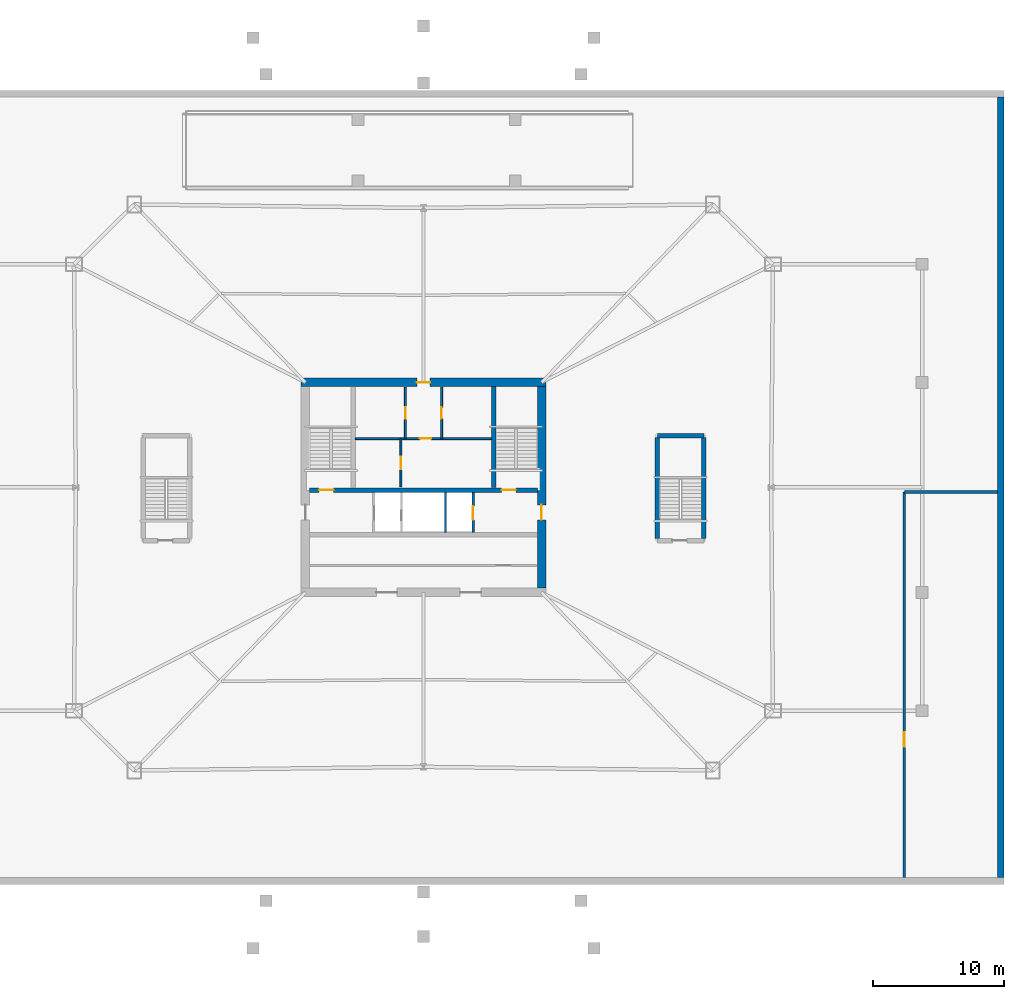
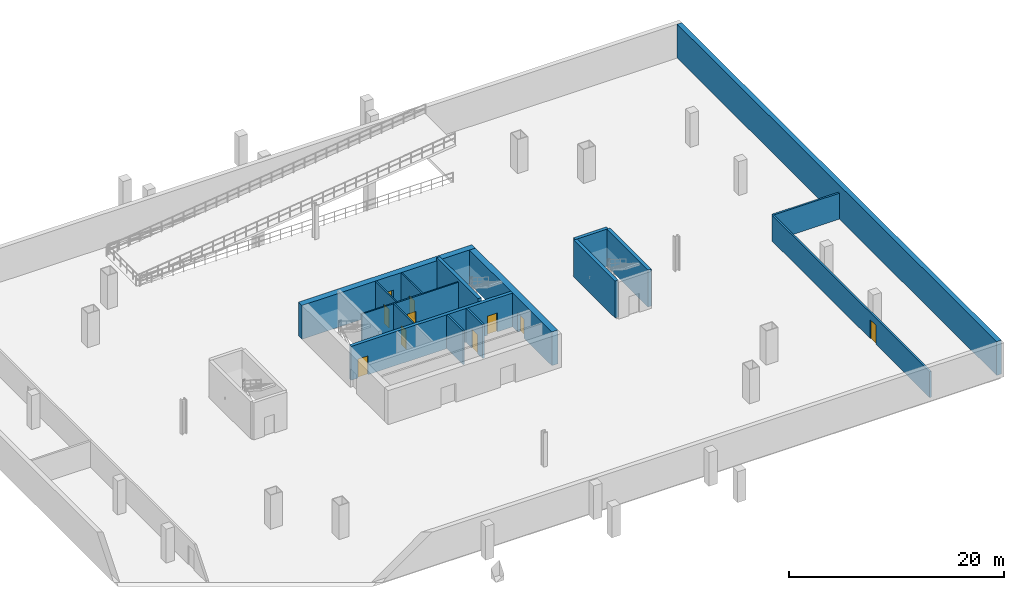
# One storey, part 5 of 9: 16 walls, 10 doors, 10 openings.
"""IFC4 building model written with IfcOpenShell, lengths in metres."""

from ifc_helpers import new_model, si_unit, direction, frame, frame_2d, origin, place, context, subcontext, project, spatial, rectangle, extrude, material, layer, layer_set, type_object, element, fill, save


model = new_model("IFC4")

# Units and contexts
model_context = context("Model", 3, precision=1e-05, world=origin(), true_north=direction((0.0, 1.0)))
body_context = subcontext(model_context, "Body", "Model", "MODEL_VIEW")
ifc_project = project(units=[si_unit("LENGTHUNIT", "METRE"), si_unit("AREAUNIT", "SQUARE_METRE"), si_unit("VOLUMEUNIT", "CUBIC_METRE"), si_unit("PLANEANGLEUNIT", "RADIAN"), si_unit("MASSUNIT", "GRAM", prefix="KILO")], contexts=[model_context])

# Site, building, storey
site_placement = place(None, origin())
site = spatial("IfcSite", under=ifc_project, at=site_placement, CompositionType="ELEMENT")
building_placement = place(site_placement, origin())
building = spatial("IfcBuilding", under=site, at=building_placement, Name="Caelvoria Tower", CompositionType="ELEMENT")
storey_placement = place(building_placement, frame((0.0, 0.0, -4.199951171875)))
storey = spatial("IfcBuildingStorey", under=building, at=storey_placement, Name="B1", CompositionType="ELEMENT", Elevation=-4.199951171875)

# Wall
ifc_material_1 = material(Name="Concrete C40/50", Category="concrete")
ifc_layer_1 = layer(ifc_material_1, 0.5, Name="Concrete C40/50")
ifc_layer_set_1 = layer_set([ifc_layer_1], Name="Basement Retaining Wall 500 - Concrete C40/50")
wall_type_1 = type_object("IfcWallType", Name="Basement Retaining Wall 500", PredefinedType="SOLIDWALL", material=ifc_layer_set_1)
wall_1_placement = place(storey_placement, frame((90.0, 2.25, 0.0), z_axis=(0.0, 0.0, 1.0), x_axis=(0.0, 1.0, 0.0)))
element("IfcWall", 1, at=wall_1_placement, inside=storey, type_object=wall_type_1, Name="B1 Retaining Wall E", PredefinedType="SOLIDWALL", context=body_context, shape_type="SweptSolid", body=[
    extrude(rectangle(XDim=59.5, YDim=0.5, at=frame_2d((29.75, 0.0))), origin(), (0.0, 0.0, 1.0), 3.849853515625),
])

# Wall, openings, doors
ifc_material_2 = material(Name="Concrete C50/60", Category="concrete")
ifc_layer_2 = layer(ifc_material_2, 0.35009765625, Name="Concrete C50/60")
ifc_layer_set_2 = layer_set([ifc_layer_2], Name="Core Internal Shear Wall 350 - Concrete C50/60")
wall_type_2 = type_object("IfcWallType", Name="Core Internal Shear Wall 350", PredefinedType="SHEAR", material=ifc_layer_set_2)
wall_2_placement = place(storey_placement, frame((37.324951171875, 31.800048828125, 0.0), z_axis=(0.0, 0.0, 1.0), x_axis=(1.0, 0.0, 0.0)))
wall_2 = element("IfcWall", 2, at=wall_2_placement, inside=storey, type_object=wall_type_2, Name="Core Shear Wall B1 M1", PredefinedType="SHEAR", context=body_context, shape_type="SweptSolid", body=[
    extrude(rectangle(XDim=17.35009765625, YDim=0.35009765625, at=frame_2d((8.675048828125, 0.0))), origin(), (0.0, 0.0, 1.0), 3.849853515625),
])
opening_1_placement = place(wall_2_placement, frame((0.72509765625, 0.0, 0.0)))
opening_1 = element("IfcOpeningElement", 3, at=opening_1_placement, cuts=wall_2, Name="Opening ID-01", PredefinedType="OPENING", context=body_context, shape_type="SweptSolid", body=[
    extrude(rectangle(XDim=1.10009765625, YDim=2.14990234375, at=frame_2d((0.550048828125, 1.074951171875))), frame((0.0, 0.18505859375, 0.0), z_axis=(0.0, -1.0, 0.0), x_axis=(1.0, 0.0, 0.0)), (0.0, 0.0, 1.0), 0.3701171875),
])
opening_2_placement = place(wall_2_placement, frame((14.625, 0.0, 0.0)))
opening_2 = element("IfcOpeningElement", 4, at=opening_2_placement, cuts=wall_2, Name="Opening ID-01", PredefinedType="OPENING", context=body_context, shape_type="SweptSolid", body=[
    extrude(rectangle(XDim=1.10009765625, YDim=2.14990234375, at=frame_2d((0.550048828125, 1.074951171875))), frame((0.0, 0.18505859375, 0.0), z_axis=(0.0, -1.0, 0.0), x_axis=(1.0, 0.0, 0.0)), (0.0, 0.0, 1.0), 0.3701171875),
])
ifc_material_3 = material(Name="Painted Hollow Steel Fire Door", Category="steel")
door_type_1 = type_object("IfcDoorType", Name="Fire Door FD90S 1100x2150", OperationType="NOTDEFINED", PredefinedType="DOOR", material=ifc_material_3)
door_1_placement = place(opening_1_placement, origin())
door_1 = element("IfcDoor", 5, at=door_1_placement, inside=storey, type_object=door_type_1, Name="Core Door DR-B1-ST1", OperationType="SINGLE_SWING_LEFT", OverallHeight=2.14990234375, OverallWidth=1.10009765625, PredefinedType="DOOR", context=body_context, shape_type="SweptSolid", body=[
    extrude(rectangle(XDim=1.10009765625, YDim=2.14990234375, at=frame_2d((0.550048828125, 1.074951171875))), frame((0.0, 0.02490234375, 0.0), z_axis=(0.0, -1.0, 0.0), x_axis=(1.0, 0.0, 0.0)), (0.0, 0.0, 1.0), 0.050048828125),
])
fill(opening_1, door_1)
door_2_placement = place(opening_2_placement, origin())
door_2 = element("IfcDoor", 6, at=door_2_placement, inside=storey, type_object=door_type_1, Name="Core Door DR-B1-ST2", OperationType="SINGLE_SWING_RIGHT", OverallHeight=2.14990234375, OverallWidth=1.10009765625, PredefinedType="DOOR", context=body_context, shape_type="SweptSolid", body=[
    extrude(rectangle(XDim=1.10009765625, YDim=2.14990234375, at=frame_2d((0.550048828125, 1.074951171875))), frame((0.0, 0.02490234375, 0.0), z_axis=(0.0, -1.0, 0.0), x_axis=(1.0, 0.0, 0.0)), (0.0, 0.0, 1.0), 0.050048828125),
])
fill(opening_2, door_2)

# Walls
wall_3_placement = place(storey_placement, frame((51.35009765625, 32.0, 0.0), z_axis=(0.0, 0.0, 1.0), x_axis=(0.0, 1.0, 0.0)))
element("IfcWall", 7, at=wall_3_placement, inside=storey, type_object=wall_type_2, Name="Interior Partition IW-B1-ST2W", PredefinedType="SHEAR", context=body_context, shape_type="SweptSolid", body=[
    extrude(rectangle(XDim=7.699951171875, YDim=0.35009765625, at=frame_2d((3.85009765625, 0.0))), origin(), (0.0, 0.0, 1.0), 4.199951171875),
])
wall_4_placement = place(storey_placement, frame((63.824951171875, 35.949951171875, 0.0), z_axis=(0.0, 0.0, 1.0), x_axis=(1.0, 0.0, 0.0)))
element("IfcWall", 8, at=wall_4_placement, inside=storey, type_object=wall_type_2, Name="Podium Stair Shear Wall B1 ST4 N", PredefinedType="SHEAR", context=body_context, shape_type="SweptSolid", body=[
    extrude(rectangle(XDim=3.550048828125, YDim=0.35009765625, at=frame_2d((1.77490234375, 0.0))), origin(), (0.0, 0.0, 1.0), 4.199951171875),
])
for number, where, z_axis, x_axis, name in (
    (9, (63.824951171875, 28.10009765625, 0.0), (0.0, 0.0, 1.0), (0.0, 1.0, 0.0), "Podium Stair Shear Wall B1 ST4 W"),
    (10, (67.375, 28.10009765625, 0.0), (0.0, 0.0, 1.0), (0.0, 1.0, 0.0), "Podium Stair Shear Wall B1 ST4 E"),
):
    element("IfcWall", number, at=place(storey_placement, frame(where, z_axis=z_axis, x_axis=x_axis)), inside=storey, type_object=wall_type_2, Name=name, PredefinedType="SHEAR", context=body_context, shape_type="SweptSolid", body=[
        extrude(rectangle(XDim=7.699951171875, YDim=0.35009765625, at=frame_2d((3.85009765625, 0.0))), origin(), (0.0, 0.0, 1.0), 4.199951171875),
    ])

# Wall, opening, door
ifc_material_4 = material(Name="Double Gypsum Board on Steel Stud", Category="steel")
ifc_layer_3 = layer(ifc_material_4, 0.14990234375, Name="Double Gypsum Board on Steel Stud")
ifc_layer_set_3 = layer_set([ifc_layer_3], Name="Core Service Acoustic Partition Wall 150 - Double Gypsum Board on Steel Stud")
wall_type_3 = type_object("IfcWallType", Name="Core Service Acoustic Partition Wall 150", PredefinedType="PARTITIONING", material=ifc_layer_set_3)
wall_5_placement = place(storey_placement, frame((44.6201171875, 35.719970703125, 0.0), z_axis=(0.0, 0.0, 1.0), x_axis=(0.0, 1.0, 0.0)))
wall_5 = element("IfcWall", 11, at=wall_5_placement, inside=storey, type_object=wall_type_3, Name="Interior Partition IW-B1-C0L", PredefinedType="PARTITIONING", context=body_context, shape_type="SweptSolid", body=[
    extrude(rectangle(XDim=3.929931640625, YDim=0.14990234375, at=frame_2d((1.96484375, 0.0))), origin(), (0.0, 0.0, 1.0), 3.849853515625),
])
opening_3_placement = place(wall_5_placement, frame((1.5, 0.0, 0.0)))
opening_3 = element("IfcOpeningElement", 12, at=opening_3_placement, cuts=wall_5, Name="Opening ID-06", PredefinedType="OPENING", context=body_context, shape_type="SweptSolid", body=[
    extrude(rectangle(XDim=0.89990234375, YDim=2.14990234375, at=frame_2d((0.449951171875, 1.074951171875))), frame((0.0, 0.0849609375, 0.0), z_axis=(0.0, -1.0, 0.0), x_axis=(1.0, 0.0, 0.0)), (0.0, 0.0, 1.0), 0.169921875),
])
ifc_material_5 = material(Name="Engineered Andean Oak Veneer Door", Category="wood")
door_type_2 = type_object("IfcDoorType", Name="Interior Timber Door 900x2150", OperationType="NOTDEFINED", PredefinedType="DOOR", material=ifc_material_5)
door_3_placement = place(opening_3_placement, origin())
door_3 = element("IfcDoor", 13, at=door_3_placement, inside=storey, type_object=door_type_2, Name="Interior Door DR-B1-C01", OperationType="SINGLE_SWING_LEFT", OverallHeight=2.14990234375, OverallWidth=0.89990234375, PredefinedType="DOOR", context=body_context, shape_type="SweptSolid", body=[
    extrude(rectangle(XDim=0.89990234375, YDim=2.14990234375, at=frame_2d((0.449951171875, 1.074951171875))), frame((0.0, 0.02490234375, 0.0), z_axis=(0.0, -1.0, 0.0), x_axis=(1.0, 0.0, 0.0)), (0.0, 0.0, 1.0), 0.050048828125),
])
fill(opening_3, door_3)

wall_6_placement = place(storey_placement, frame((47.3798828125, 35.719970703125, 0.0), z_axis=(0.0, 0.0, 1.0), x_axis=(0.0, 1.0, 0.0)))
wall_6 = element("IfcWall", 14, at=wall_6_placement, inside=storey, type_object=wall_type_3, Name="Interior Partition IW-B1-C0R", PredefinedType="PARTITIONING", context=body_context, shape_type="SweptSolid", body=[
    extrude(rectangle(XDim=3.929931640625, YDim=0.14990234375, at=frame_2d((1.96484375, 0.0))), origin(), (0.0, 0.0, 1.0), 3.849853515625),
])
opening_4_placement = place(wall_6_placement, frame((1.5, 0.0, 0.0)))
opening_4 = element("IfcOpeningElement", 15, at=opening_4_placement, cuts=wall_6, Name="Opening ID-06", PredefinedType="OPENING", context=body_context, shape_type="SweptSolid", body=[
    extrude(rectangle(XDim=0.89990234375, YDim=2.14990234375, at=frame_2d((0.449951171875, 1.074951171875))), frame((0.0, 0.0849609375, 0.0), z_axis=(0.0, -1.0, 0.0), x_axis=(1.0, 0.0, 0.0)), (0.0, 0.0, 1.0), 0.169921875),
])
door_4_placement = place(opening_4_placement, origin())
door_4 = element("IfcDoor", 16, at=door_4_placement, inside=storey, type_object=door_type_2, Name="Interior Door DR-B1-C02", OperationType="SINGLE_SWING_RIGHT", OverallHeight=2.14990234375, OverallWidth=0.89990234375, PredefinedType="DOOR", context=body_context, shape_type="SweptSolid", body=[
    extrude(rectangle(XDim=0.89990234375, YDim=2.14990234375, at=frame_2d((0.449951171875, 1.074951171875))), frame((0.0, 0.02490234375, 0.0), z_axis=(0.0, -1.0, 0.0), x_axis=(1.0, 0.0, 0.0)), (0.0, 0.0, 1.0), 0.050048828125),
])
fill(opening_4, door_4)

wall_7_placement = place(storey_placement, frame((44.280029296875, 32.050048828125, 0.0), z_axis=(0.0, 0.0, 1.0), x_axis=(0.0, 1.0, 0.0)))
wall_7 = element("IfcWall", 17, at=wall_7_placement, inside=storey, type_object=wall_type_3, Name="Interior Partition IW-B1-C0M", PredefinedType="PARTITIONING", context=body_context, shape_type="SweptSolid", body=[
    extrude(rectangle(XDim=3.669921875, YDim=0.14990234375, at=frame_2d((1.8349609375, 0.0))), origin(), (0.0, 0.0, 1.0), 3.849853515625),
])
opening_5_placement = place(wall_7_placement, frame((1.35009765625, 0.0, 0.0)))
opening_5 = element("IfcOpeningElement", 18, at=opening_5_placement, cuts=wall_7, Name="Opening ID-07", PredefinedType="OPENING", context=body_context, shape_type="SweptSolid", body=[
    extrude(rectangle(XDim=0.919921875, YDim=2.14990234375, at=frame_2d((0.4599609375, 1.074951171875))), frame((0.0, 0.0849609375, 0.0), z_axis=(0.0, -1.0, 0.0), x_axis=(1.0, 0.0, 0.0)), (0.0, 0.0, 1.0), 0.169921875),
])
ifc_material_6 = material(Name="Engineered Andean Oak Accessible Door", Category="wood")
door_type_3 = type_object("IfcDoorType", Name="Accessible WC Door 950x2150", OperationType="NOTDEFINED", PredefinedType="DOOR", material=ifc_material_6)
door_5_placement = place(opening_5_placement, origin())
door_5 = element("IfcDoor", 19, at=door_5_placement, inside=storey, type_object=door_type_3, Name="Interior Door DR-B1-C05", OperationType="SINGLE_SWING_LEFT", OverallHeight=2.14990234375, OverallWidth=0.919921875, PredefinedType="DOOR", context=body_context, shape_type="SweptSolid", body=[
    extrude(rectangle(XDim=0.919921875, YDim=2.14990234375, at=frame_2d((0.4599609375, 1.074951171875))), frame((0.0, 0.02490234375, 0.0), z_axis=(0.0, -1.0, 0.0), x_axis=(1.0, 0.0, 0.0)), (0.0, 0.0, 1.0), 0.050048828125),
])
fill(opening_5, door_5)

wall_8_placement = place(storey_placement, frame((40.800048828125, 35.719970703125, 0.0), z_axis=(0.0, 0.0, 1.0), x_axis=(1.0, 0.0, 0.0)))
wall_8 = element("IfcWall", 20, at=wall_8_placement, inside=storey, type_object=wall_type_3, Name="Interior Partition IW-B1-C0H", PredefinedType="PARTITIONING", context=body_context, shape_type="SweptSolid", body=[
    extrude(rectangle(XDim=10.39990234375, YDim=0.14990234375, at=frame_2d((5.199951171875, 0.0))), origin(), (0.0, 0.0, 1.0), 3.849853515625),
])
opening_6_placement = place(wall_8_placement, frame((4.89990234375, 0.0, 0.0)))
opening_6 = element("IfcOpeningElement", 21, at=opening_6_placement, cuts=wall_8, Name="Opening ID-04", PredefinedType="OPENING", context=body_context, shape_type="SweptSolid", body=[
    extrude(rectangle(XDim=0.89990234375, YDim=2.14990234375, at=frame_2d((0.449951171875, 1.074951171875))), frame((0.0, 0.0849609375, 0.0), z_axis=(0.0, -1.0, 0.0), x_axis=(1.0, 0.0, 0.0)), (0.0, 0.0, 1.0), 0.169921875),
])
ifc_material_7 = material(Name="Acoustic Timber Fire Door", Category="wood")
door_type_4 = type_object("IfcDoorType", Name="Fire Door FD30S 900x2150", OperationType="NOTDEFINED", PredefinedType="DOOR", material=ifc_material_7)
door_6_placement = place(opening_6_placement, origin())
door_6 = element("IfcDoor", 22, at=door_6_placement, inside=storey, type_object=door_type_4, Name="Interior Door DR-B1-C04", OperationType="SINGLE_SWING_RIGHT", OverallHeight=2.14990234375, OverallWidth=0.89990234375, PredefinedType="DOOR", context=body_context, shape_type="SweptSolid", body=[
    extrude(rectangle(XDim=0.89990234375, YDim=2.14990234375, at=frame_2d((0.449951171875, 1.074951171875))), frame((0.0, 0.02490234375, 0.0), z_axis=(0.0, -1.0, 0.0), x_axis=(1.0, 0.0, 0.0)), (0.0, 0.0, 1.0), 0.050048828125),
])
fill(opening_6, door_6)

# Wall
ifc_material_8 = material(Name="Concrete Block and Fireboard Assembly", Category="concrete")
ifc_layer_4 = layer(ifc_material_8, 0.179931640625, Name="Concrete Block and Fireboard Assembly")
ifc_layer_set_4 = layer_set([ifc_layer_4], Name="Fire-Rated Hoistway Partition Wall 180 - Concrete Block and Fireboard Assembly")
wall_type_4 = type_object("IfcWallType", Name="Fire-Rated Hoistway Partition Wall 180", PredefinedType="PARTITIONING", material=ifc_layer_set_4)
wall_9_placement = place(storey_placement, frame((47.679931640625, 28.580078125, 0.0), z_axis=(0.0, 0.0, 1.0), x_axis=(0.0, 1.0, 0.0)))
element("IfcWall", 23, at=wall_9_placement, inside=storey, type_object=wall_type_4, Name="Interior Partition IW-B1-SV1E", PredefinedType="PARTITIONING", context=body_context, shape_type="SweptSolid", body=[
    extrude(rectangle(XDim=3.0400390625, YDim=0.179931640625, at=frame_2d((1.52001953125, 0.0))), origin(), (0.0, 0.0, 1.0), 3.849853515625),
])

# Wall, opening, door
ifc_layer_5 = layer(ifc_material_8, 0.199951171875, Name="Concrete Block and Fireboard Assembly")
ifc_layer_set_5 = layer_set([ifc_layer_5], Name="Fire-Rated Shaft and Core Partition Wall 200 - Concrete Block and Fireboard Assembly")
wall_type_5 = type_object("IfcWallType", Name="Fire-Rated Shaft and Core Partition Wall 200", PredefinedType="PARTITIONING", material=ifc_layer_set_5)
wall_10_placement = place(storey_placement, frame((49.780029296875, 28.580078125, 0.0), z_axis=(0.0, 0.0, 1.0), x_axis=(0.0, 1.0, 0.0)))
wall_10 = element("IfcWall", 24, at=wall_10_placement, inside=storey, type_object=wall_type_5, Name="Interior Partition IW-B1-LF2E", PredefinedType="PARTITIONING", context=body_context, shape_type="SweptSolid", body=[
    extrude(rectangle(XDim=3.0400390625, YDim=0.199951171875, at=frame_2d((1.52001953125, 0.0))), origin(), (0.0, 0.0, 1.0), 3.849853515625),
])
opening_7_placement = place(wall_10_placement, frame((0.949951171875, 0.0, 0.0)))
opening_7 = element("IfcOpeningElement", 25, at=opening_7_placement, cuts=wall_10, Name="Opening LD-01", PredefinedType="OPENING", context=body_context, shape_type="SweptSolid", body=[
    extrude(rectangle(XDim=1.050048828125, YDim=2.14990234375, at=frame_2d((0.52490234375, 1.074951171875))), frame((0.0, 0.10986328125, 0.0), z_axis=(0.0, -1.0, 0.0), x_axis=(1.0, 0.0, 0.0)), (0.0, 0.0, 1.0), 0.219970703125),
])
ifc_material_9 = material(Name="Brushed Bronze Stainless Sliding Landing Door", Category="aluminium")
door_type_5 = type_object("IfcDoorType", Name="Lift Landing Sliding Door 1100x2150", OperationType="NOTDEFINED", PredefinedType="DOOR", material=ifc_material_9)
door_7_placement = place(opening_7_placement, origin())
door_7 = element("IfcDoor", 26, at=door_7_placement, inside=storey, type_object=door_type_5, Name="Interior Door LD-B1-LF2", OperationType="SLIDING_TO_RIGHT", OverallHeight=2.14990234375, OverallWidth=1.050048828125, PredefinedType="DOOR", context=body_context, shape_type="SweptSolid", body=[
    extrude(rectangle(XDim=1.050048828125, YDim=2.14990234375, at=frame_2d((0.52490234375, 1.074951171875))), frame((0.0, 0.02490234375, 0.0), z_axis=(0.0, -1.0, 0.0), x_axis=(1.0, 0.0, 0.0)), (0.0, 0.0, 1.0), 0.050048828125),
])
fill(opening_7, door_7)

wall_11_placement = place(storey_placement, frame((82.64990234375, 2.25, 0.0), z_axis=(0.0, 0.0, 1.0), x_axis=(0.0, 1.0, 0.0)))
wall_11 = element("IfcWall", 27, at=wall_11_placement, inside=storey, type_object=wall_type_5, Name="Interior Partition IW-B1-PE", PredefinedType="PARTITIONING", context=body_context, shape_type="SweptSolid", body=[
    extrude(rectangle(XDim=29.39990234375, YDim=0.199951171875, at=frame_2d((14.699951171875, 0.0))), origin(), (0.0, 0.0, 1.0), 2.949951171875),
])
opening_8_placement = place(wall_11_placement, frame((10.0, 0.0, 0.0)))
opening_8 = element("IfcOpeningElement", 28, at=opening_8_placement, cuts=wall_11, Name="Opening ID-01", PredefinedType="OPENING", context=body_context, shape_type="SweptSolid", body=[
    extrude(rectangle(XDim=1.10009765625, YDim=2.14990234375, at=frame_2d((0.550048828125, 1.074951171875))), frame((0.0, 0.10986328125, 0.0), z_axis=(0.0, -1.0, 0.0), x_axis=(1.0, 0.0, 0.0)), (0.0, 0.0, 1.0), 0.219970703125),
])
door_8_placement = place(opening_8_placement, origin())
door_8 = element("IfcDoor", 29, at=door_8_placement, inside=storey, type_object=door_type_1, Name="Interior Door DR-B1-PE1", OperationType="SINGLE_SWING_RIGHT", OverallHeight=2.14990234375, OverallWidth=1.10009765625, PredefinedType="DOOR", context=body_context, shape_type="SweptSolid", body=[
    extrude(rectangle(XDim=1.10009765625, YDim=2.14990234375, at=frame_2d((0.550048828125, 1.074951171875))), frame((0.0, 0.02490234375, 0.0), z_axis=(0.0, -1.0, 0.0), x_axis=(1.0, 0.0, 0.0)), (0.0, 0.0, 1.0), 0.050048828125),
])
fill(opening_8, door_8)

# Wall
wall_12_placement = place(storey_placement, frame((82.64990234375, 31.64990234375, 0.0), z_axis=(0.0, 0.0, 1.0), x_axis=(1.0, 0.0, 0.0)))
element("IfcWall", 30, at=wall_12_placement, inside=storey, type_object=wall_type_5, Name="Interior Partition IW-B1-PEH", PredefinedType="PARTITIONING", context=body_context, shape_type="SweptSolid", body=[
    extrude(rectangle(XDim=7.10009765625, YDim=0.199951171875, at=frame_2d((3.550048828125, 0.0))), origin(), (0.0, 0.0, 1.0), 2.949951171875),
])

# Wall, opening, door
ifc_material_10 = material(Name="Concrete C60/75", Category="concrete")
ifc_layer_6 = layer(ifc_material_10, 0.64990234375, Name="Concrete C60/75")
ifc_layer_set_6 = layer_set([ifc_layer_6], Name="Lower Core Shear Wall 650 - Concrete C60/75")
wall_type_6 = type_object("IfcWallType", Name="Lower Core Shear Wall 650", PredefinedType="SHEAR", material=ifc_layer_set_6)
wall_13_placement = place(storey_placement, frame((36.675048828125, 40.0, 0.0), z_axis=(0.0, 0.0, 1.0), x_axis=(1.0, 0.0, 0.0)))
wall_13 = element("IfcWall", 31, at=wall_13_placement, inside=storey, type_object=wall_type_6, Name="Core Shear Wall B1 N", PredefinedType="SHEAR", context=body_context, shape_type="SweptSolid", body=[
    extrude(rectangle(XDim=18.64990234375, YDim=0.64990234375, at=frame_2d((9.324951171875, 0.0))), origin(), (0.0, 0.0, 1.0), 3.849853515625),
])
opening_9_placement = place(wall_13_placement, frame((8.824951171875, 0.0, 0.0)))
opening_9 = element("IfcOpeningElement", 32, at=opening_9_placement, cuts=wall_13, Name="Opening ID-03", PredefinedType="OPENING", context=body_context, shape_type="SweptSolid", body=[
    extrude(rectangle(XDim=1.0, YDim=2.14990234375, at=frame_2d((0.5, 1.074951171875))), frame((0.0, 0.3349609375, 0.0), z_axis=(0.0, -1.0, 0.0), x_axis=(1.0, 0.0, 0.0)), (0.0, 0.0, 1.0), 0.669921875),
])
door_type_6 = type_object("IfcDoorType", Name="Fire Door FD60S 1000x2150", OperationType="NOTDEFINED", PredefinedType="DOOR", material=ifc_material_3)
door_9_placement = place(opening_9_placement, origin())
door_9 = element("IfcDoor", 33, at=door_9_placement, inside=storey, type_object=door_type_6, Name="Core Door DR-B1-WC-MAIN", OperationType="SINGLE_SWING_RIGHT", OverallHeight=2.14990234375, OverallWidth=1.0, PredefinedType="DOOR", context=body_context, shape_type="SweptSolid", body=[
    extrude(rectangle(XDim=1.0, YDim=2.14990234375, at=frame_2d((0.5, 1.074951171875))), frame((0.0, 0.02490234375, 0.0), z_axis=(0.0, -1.0, 0.0), x_axis=(1.0, 0.0, 0.0)), (0.0, 0.0, 1.0), 0.050048828125),
])
fill(opening_9, door_9)

wall_14_placement = place(storey_placement, frame((55.0, 24.324951171875, 0.0), z_axis=(0.0, 0.0, 1.0), x_axis=(0.0, 1.0, 0.0)))
wall_14 = element("IfcWall", 34, at=wall_14_placement, inside=storey, type_object=wall_type_6, Name="Core Shear Wall B1 E", PredefinedType="SHEAR", context=body_context, shape_type="SweptSolid", body=[
    extrude(rectangle(XDim=15.35009765625, YDim=0.64990234375, at=frame_2d((7.675048828125, 0.0))), origin(), (0.0, 0.0, 1.0), 3.849853515625),
])
opening_10_placement = place(wall_14_placement, frame((5.199951171875, 0.0, 0.0)))
opening_10 = element("IfcOpeningElement", 35, at=opening_10_placement, cuts=wall_14, Name="Opening ID-02", PredefinedType="OPENING", context=body_context, shape_type="SweptSolid", body=[
    extrude(rectangle(XDim=1.14990234375, YDim=2.14990234375, at=frame_2d((0.574951171875, 1.074951171875))), frame((0.0, 0.3349609375, 0.0), z_axis=(0.0, -1.0, 0.0), x_axis=(1.0, 0.0, 0.0)), (0.0, 0.0, 1.0), 0.669921875),
])
door_type_7 = type_object("IfcDoorType", Name="Fire Door FD60S 1150x2150", OperationType="NOTDEFINED", PredefinedType="DOOR", material=ifc_material_3)
door_10_placement = place(opening_10_placement, origin())
door_10 = element("IfcDoor", 36, at=door_10_placement, inside=storey, type_object=door_type_7, Name="Core Door DR-B1-FFLE-OUT", OperationType="SINGLE_SWING_RIGHT", OverallHeight=2.14990234375, OverallWidth=1.14990234375, PredefinedType="DOOR", context=body_context, shape_type="SweptSolid", body=[
    extrude(rectangle(XDim=1.14990234375, YDim=2.14990234375, at=frame_2d((0.574951171875, 1.074951171875))), frame((0.0, 0.02490234375, 0.0), z_axis=(0.0, -1.0, 0.0), x_axis=(1.0, 0.0, 0.0)), (0.0, 0.0, 1.0), 0.050048828125),
])
fill(opening_10, door_10)

save(model, "model.ifc")
